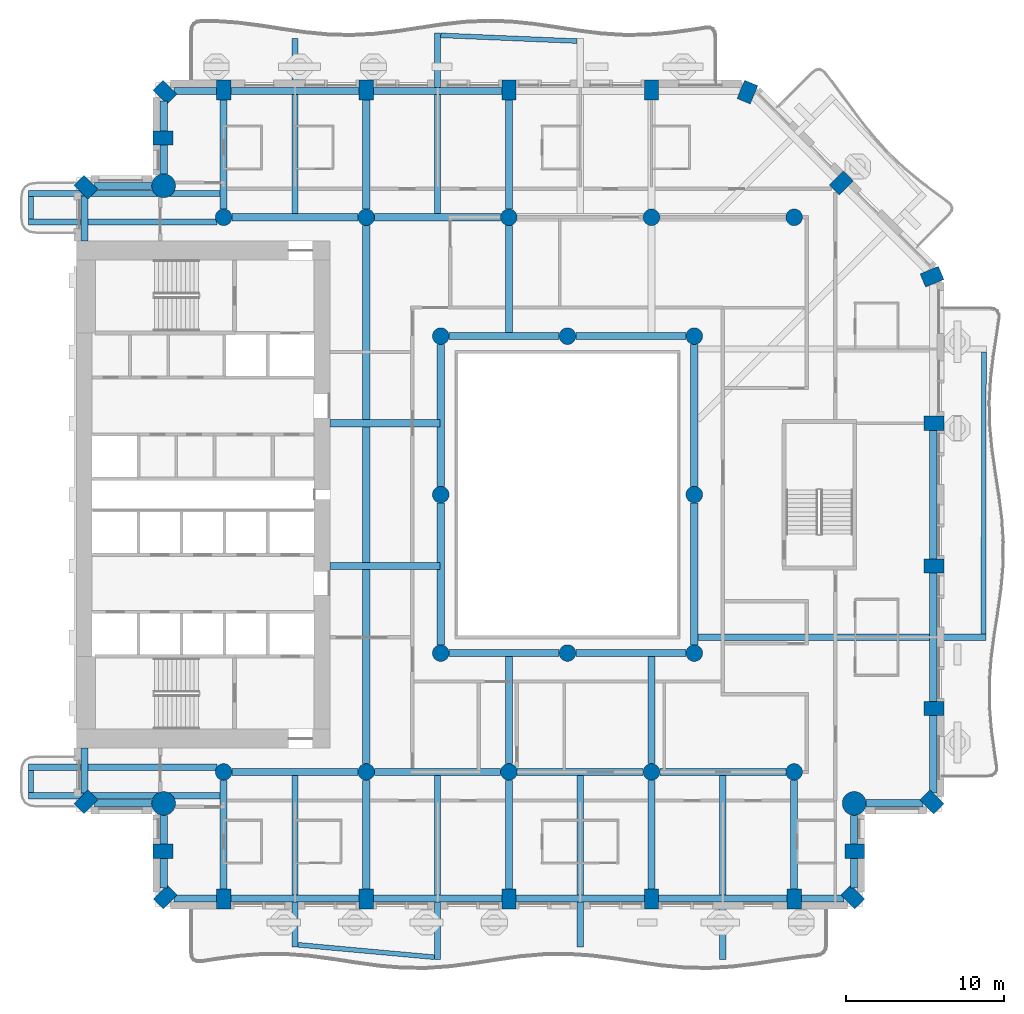
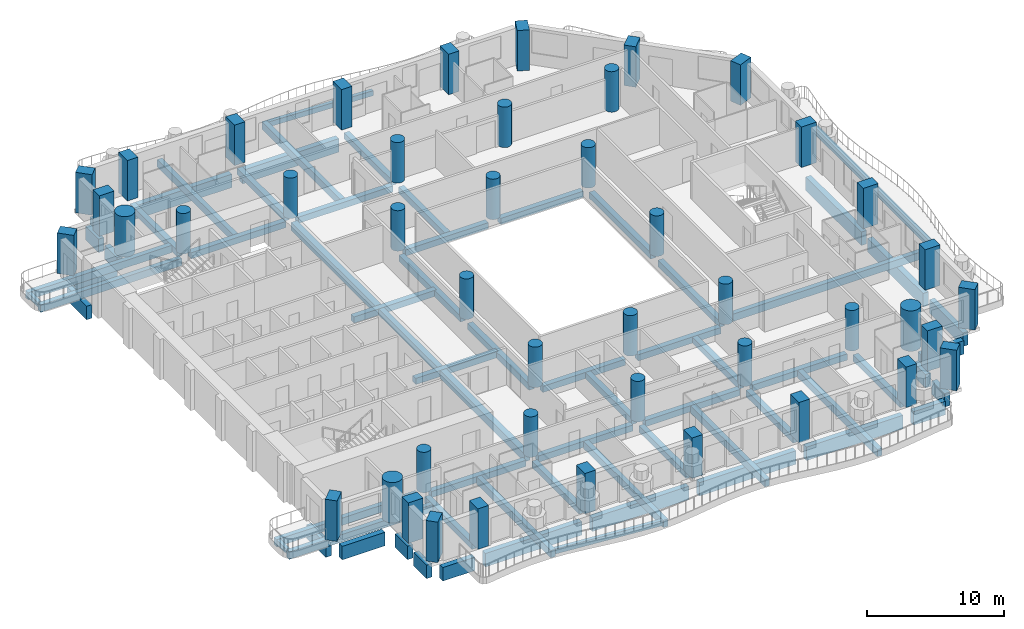
# One storey, part 1 of 20: 69 beams, 45 columns.
"""IFC4 building model written with IfcOpenShell, lengths in metres."""

from ifc_helpers import new_model, si_unit, direction, frame, origin, origin_2d, place, context, subcontext, project, spatial, rectangle, circle, extrude, material, material_profile, profile_set, type_object, element, save


model = new_model("IFC4")

# Units and contexts
model_context = context("Model", 3, precision=1e-05, world=origin(), true_north=direction((0.0, 1.0)))
body_context = subcontext(model_context, "Body", "Model", "MODEL_VIEW")
ifc_project = project(units=[si_unit("LENGTHUNIT", "METRE"), si_unit("AREAUNIT", "SQUARE_METRE"), si_unit("VOLUMEUNIT", "CUBIC_METRE"), si_unit("PLANEANGLEUNIT", "RADIAN"), si_unit("MASSUNIT", "GRAM", prefix="KILO")], contexts=[model_context])

# Site, building, storey
site_placement = place(None, origin())
site = spatial("IfcSite", under=ifc_project, at=site_placement, CompositionType="ELEMENT")
building_placement = place(site_placement, origin())
building = spatial("IfcBuilding", under=site, at=building_placement, Name="Cypress Arch Tower", CompositionType="ELEMENT")
storey_placement = place(building_placement, frame((0.0, 0.0, 123.89990234375)))
storey = spatial("IfcBuildingStorey", under=building, at=storey_placement, Name="L26", CompositionType="ELEMENT", Elevation=123.89990234375)

# Columns
ifc_material_1 = material(Name="Concrete C80/95", Category="concrete")
ifc_material_profile_1 = material_profile(ifc_material_1, rectangle(XDim=0.89990234375, YDim=1.25, at=origin_2d()), Name="RC 900x1250")
ifc_profile_set_1 = profile_set([ifc_material_profile_1], Name="Concrete C80/95")
column_type_1 = type_object("IfcColumnType", Name="Column RC 900x1250 Concrete C80/95", PredefinedType="COLUMN", material=ifc_profile_set_1)
for number, where, z_axis, x_axis, name in (
    (1, (-29.389892578125, 19.389892578125, 0.0), (0.0, 0.0, 1.0), (-0.707106781187, -0.707106781187, 0.0), "Column L26 CA00"),
    (2, (-29.389892578125, -19.389892578125, 0.0), (0.0, 0.0, 1.0), (0.707106781187, -0.707106781187, 0.0), "Column L26 CA01"),
    (3, (-24.52490234375, -22.5, 0.0), (0.0, 0.0, 1.0), (0.0, -1.0, 0.0), "Column L26 CA03"),
    (4, (-24.389892578125, -25.389892578125, 0.0), (0.0, 0.0, 1.0), (0.707106781187, -0.707106781187, 0.0), "Column L26 CA04"),
    (5, (-20.699951171875, -25.52490234375, 0.0), (0.0, 0.0, 1.0), (1.0, 0.0, 0.0), "Column L26 CA05"),
    (6, (-11.699951171875, -25.52490234375, 0.0), (0.0, 0.0, 1.0), (1.0, 0.0, 0.0), "Column L26 CA06"),
    (7, (-2.699951171875, -25.52490234375, 0.0), (0.0, 0.0, 1.0), (1.0, 0.0, 0.0), "Column L26 CA07"),
    (8, (6.300048828125, -25.52490234375, 0.0), (0.0, 0.0, 1.0), (1.0, 0.0, 0.0), "Column L26 CA08"),
    (9, (15.300048828125, -25.52490234375, 0.0), (0.0, 0.0, 1.0), (1.0, 0.0, 0.0), "Column L26 CA09"),
    (10, (18.98974609375, -25.389892578125, 0.0), (0.0, 0.0, 1.0), (0.707106781187, 0.707106781187, 0.0), "Column L26 CA10"),
    (11, (19.125, -22.5, 0.0), (0.0, 0.0, 1.0), (0.0, 1.0, 0.0), "Column L26 CA11"),
    (12, (23.98974609375, -19.389892578125, 0.0), (0.0, 0.0, 1.0), (0.707106781187, 0.707106781187, 0.0), "Column L26 CA13"),
    (13, (24.125, -13.5, 0.0), (0.0, 0.0, 1.0), (0.0, 1.0, 0.0), "Column L26 CA14"),
    (14, (24.125, -4.5, 0.0), (0.0, 0.0, 1.0), (0.0, 1.0, 0.0), "Column L26 CA15"),
    (15, (24.125, 4.5, 0.0), (0.0, 0.0, 1.0), (0.0, 1.0, 0.0), "Column L26 CA16"),
    (16, (24.00048828125, 13.751708984375, 0.0), (0.0, 0.0, 1.0), (-0.382683496864, 0.923879505795, 0.0), "Column L26 CA17"),
    (17, (18.26416015625, 19.6640625, 0.0), (0.0, 0.0, 1.0), (-0.707106781187, 0.707106781187, 0.0), "Column L26 CA18"),
    (18, (12.3515625, 25.400390625, 0.0), (0.0, 0.0, 1.0), (-0.923879505795, 0.382683496864, 0.0), "Column L26 CA19"),
    (19, (6.300048828125, 25.52490234375, 0.0), (0.0, 0.0, 1.0), (-1.0, 0.0, 0.0), "Column L26 CA20"),
    (20, (-2.699951171875, 25.52490234375, 0.0), (0.0, 0.0, 1.0), (-1.0, 0.0, 0.0), "Column L26 CA21"),
    (21, (-11.699951171875, 25.52490234375, 0.0), (0.0, 0.0, 1.0), (-1.0, 0.0, 0.0), "Column L26 CA22"),
    (22, (-20.699951171875, 25.52490234375, 0.0), (0.0, 0.0, 1.0), (-1.0, 0.0, 0.0), "Column L26 CA23"),
    (23, (-24.389892578125, 25.389892578125, 0.0), (0.0, 0.0, 1.0), (-0.707106781187, -0.707106781187, 0.0), "Column L26 CA24"),
    (24, (-24.52490234375, 22.5, 0.0), (0.0, 0.0, 1.0), (0.0, -1.0, 0.0), "Column L26 CA25"),
):
    element("IfcColumn", number, at=place(storey_placement, frame(where, z_axis=z_axis, x_axis=x_axis)), inside=storey, type_object=column_type_1, Name=name, PredefinedType="COLUMN", context=body_context, shape_type="SweptSolid", body=[
        extrude(rectangle(XDim=0.89990234375, YDim=1.25, at=origin_2d()), origin(), (0.0, 0.0, 1.0), 3.60009765625),
    ])
ifc_material_2 = material(Name="Concrete C70/85", Category="concrete")
ifc_material_profile_2 = material_profile(ifc_material_2, circle(Radius=0.52490234375, at=origin_2d()), Name="RC D1050")
ifc_profile_set_2 = profile_set([ifc_material_profile_2], Name="Concrete C70/85")
column_type_2 = type_object("IfcColumnType", Name="Column RC D1050 Concrete C70/85", PredefinedType="COLUMN", material=ifc_profile_set_2)
for number, where, z_axis, x_axis, name in (
    (25, (-20.699951171875, -17.5, 0.0), (0.0, 0.0, 1.0), (1.0, 0.0, 0.0), "Column L26 CIC-L26-CI3S"),
    (26, (-11.699951171875, -17.5, 0.0), (0.0, 0.0, 1.0), (1.0, 0.0, 0.0), "Column L26 CIC-L26-CI4S"),
    (27, (-2.699951171875, -17.5, 0.0), (0.0, 0.0, 1.0), (1.0, 0.0, 0.0), "Column L26 CIC-L26-CI5S"),
    (28, (6.300048828125, -17.5, 0.0), (0.0, 0.0, 1.0), (1.0, 0.0, 0.0), "Column L26 CIC-L26-CI6S"),
    (29, (15.300048828125, -17.5, 0.0), (0.0, 0.0, 1.0), (1.0, 0.0, 0.0), "Column L26 CIC-L26-CI7S"),
    (30, (-20.699951171875, 17.5, 0.0), (0.0, 0.0, 1.0), (1.0, 0.0, 0.0), "Column L26 CIC-L26-CI3N"),
    (31, (-11.699951171875, 17.5, 0.0), (0.0, 0.0, 1.0), (1.0, 0.0, 0.0), "Column L26 CIC-L26-CI4N"),
    (32, (-2.699951171875, 17.5, 0.0), (0.0, 0.0, 1.0), (1.0, 0.0, 0.0), "Column L26 CIC-L26-CI5N"),
    (33, (6.300048828125, 17.5, 0.0), (0.0, 0.0, 1.0), (1.0, 0.0, 0.0), "Column L26 CIC-L26-CI6N"),
    (34, (15.300048828125, 17.5, 0.0), (0.0, 0.0, 1.0), (1.0, 0.0, 0.0), "Column L26 CIC-L26-CI7N"),
    (35, (-7.0, -10.0, 0.0), (0.0, 0.0, 1.0), (1.0, 0.0, 0.0), "Column L26 RNG-L26-G-7-10"),
    (36, (-7.0, 0.0, 0.0), (0.0, 0.0, 1.0), (1.0, 0.0, 0.0), "Column L26 RNG-L26-G-7+0"),
    (37, (-7.0, 10.0, 0.0), (0.0, 0.0, 1.0), (1.0, 0.0, 0.0), "Column L26 RNG-L26-G-7+10"),
    (38, (1.0, -10.0, 0.0), (0.0, 0.0, 1.0), (1.0, 0.0, 0.0), "Column L26 RNG-L26-G+1-10"),
    (39, (1.0, 10.0, 0.0), (0.0, 0.0, 1.0), (1.0, 0.0, 0.0), "Column L26 RNG-L26-G+1+10"),
    (40, (9.0, -10.0, 0.0), (0.0, 0.0, 1.0), (1.0, 0.0, 0.0), "Column L26 RNG-L26-G+9-10"),
    (41, (9.0, 0.0, 0.0), (0.0, 0.0, 1.0), (1.0, 0.0, 0.0), "Column L26 RNG-L26-G+9+0"),
    (42, (9.0, 10.0, 0.0), (0.0, 0.0, 1.0), (1.0, 0.0, 0.0), "Column L26 RNG-L26-G+9+10"),
):
    element("IfcColumn", number, at=place(storey_placement, frame(where, z_axis=z_axis, x_axis=x_axis)), inside=storey, type_object=column_type_2, Name=name, PredefinedType="COLUMN", context=body_context, shape_type="SweptSolid", body=[
        extrude(circle(Radius=0.52490234375, at=origin_2d()), origin(), (0.0, 0.0, 1.0), 3.60009765625),
    ])
ifc_material_3 = material(Name="Concrete C80/95", Category="concrete")
ifc_material_profile_3 = material_profile(ifc_material_3, circle(Radius=0.75, at=origin_2d()), Name="RC D1500")
ifc_profile_set_3 = profile_set([ifc_material_profile_3], Name="Concrete C80/95")
column_type_3 = type_object("IfcColumnType", Name="Mega-column RC D1500 Concrete C80/95", PredefinedType="COLUMN", material=ifc_profile_set_3)
for number, where, z_axis, x_axis, name in (
    (43, (-24.48779296875, -19.48779296875, 0.0), (0.0, 0.0, 1.0), (1.0, 0.0, 0.0), "Column L26 CA02"),
    (44, (19.087890625, -19.48779296875, 0.0), (0.0, 0.0, 1.0), (1.0, 0.0, 0.0), "Column L26 CA12"),
    (45, (-24.48779296875, 19.48779296875, 0.0), (0.0, 0.0, 1.0), (1.0, 0.0, 0.0), "Column L26 CA26"),
):
    element("IfcColumn", number, at=place(storey_placement, frame(where, z_axis=z_axis, x_axis=x_axis)), inside=storey, type_object=column_type_3, Name=name, PredefinedType="COLUMN", context=body_context, shape_type="SweptSolid", body=[
        extrude(circle(Radius=0.75, at=origin_2d()), origin(), (0.0, 0.0, 1.0), 3.60009765625),
    ])

# Beams
ifc_material_4 = material(Name="Concrete C50/60", Category="concrete")
ifc_material_profile_4 = material_profile(ifc_material_4, rectangle(XDim=0.300048828125, YDim=0.449951171875, at=origin_2d()), Name="RC 300x450")
ifc_profile_set_4 = profile_set([ifc_material_profile_4], Name="Concrete C50/60")
beam_type_1 = type_object("IfcBeamType", Name="Balcony edge beam RC 300x450 Concrete C50/60", PredefinedType="BEAM", material=ifc_profile_set_4)
beam_1_placement = place(storey_placement, frame((-16.0, -28.408447265625, -0.52490234375), z_axis=(0.995883931978, -0.090637707543, 0.0), x_axis=(0.090637707543, 0.995883931978, 0.0)))
element("IfcBeam", 46, at=beam_1_placement, inside=storey, type_object=beam_type_1, Name="Balcony edge beam L26 A03", PredefinedType="BEAM", context=body_context, shape_type="SweptSolid", body=[
    extrude(rectangle(XDim=0.300048828125, YDim=0.449951171875, at=origin_2d()), origin(), (0.0, 0.0, 1.0), 8.6357421875),
])
beam_2_placement = place(storey_placement, frame((1.60009765625, 28.61865234375, -0.52490234375), z_axis=(-0.999117371021, 0.042005701087, 0.0), x_axis=(-0.042005701087, -0.999117371021, 0.0)))
element("IfcBeam", 47, at=beam_2_placement, inside=storey, type_object=beam_type_1, Name="Balcony edge beam L26 A08", PredefinedType="BEAM", context=body_context, shape_type="SweptSolid", body=[
    extrude(rectangle(XDim=0.300048828125, YDim=0.449951171875, at=origin_2d()), origin(), (0.0, 0.0, 1.0), 8.607666015625),
])
ifc_material_5 = material(Name="Concrete C50/60", Category="concrete")
ifc_material_profile_5 = material_profile(ifc_material_5, rectangle(XDim=0.300048828125, YDim=0.64990234375, at=origin_2d()), Name="RC 300x650")
ifc_profile_set_5 = profile_set([ifc_material_profile_5], Name="Concrete C50/60")
beam_type_2 = type_object("IfcBeamType", Name="Balcony edge beam RC 300x650 Concrete C50/60", PredefinedType="BEAM", material=ifc_profile_set_5)
beam_3_placement = place(storey_placement, frame((27.247802734375, -8.800048828125, -0.625), z_axis=(0.001605839349, 0.999998710639, 0.0), x_axis=(-0.999998710639, 0.001605839349, 0.0)))
element("IfcBeam", 48, at=beam_3_placement, inside=storey, type_object=beam_type_2, Name="Balcony edge beam L26 A06", PredefinedType="BEAM", context=body_context, shape_type="SweptSolid", body=[
    extrude(rectangle(XDim=0.300048828125, YDim=0.64990234375, at=origin_2d()), origin(), (0.0, 0.0, 1.0), 17.787841796875),
])
ifc_material_6 = material(Name="Concrete C50/60", Category="concrete")
ifc_material_profile_6 = material_profile(ifc_material_6, rectangle(XDim=0.300048828125, YDim=0.39990234375, at=origin_2d()), Name="RC 300x400")
ifc_profile_set_6 = profile_set([ifc_material_profile_6], Name="Concrete C50/60")
beam_type_3 = type_object("IfcBeamType", Name="Balcony stub beam RC 300x400 Concrete C50/60", PredefinedType="BEAM", material=ifc_profile_set_6)
for number, where, z_axis, x_axis, name in (
    (49, (-32.85009765625, 18.800048828125, -0.5), (0.0, -1.0, 0.0), (1.0, 0.0, 0.0), "Balcony stub beam L26 A00W0"),
    (50, (-32.85009765625, -17.39990234375, -0.5), (0.0, -1.0, 0.0), (1.0, 0.0, 0.0), "Balcony stub beam L26 A00W1"),
):
    element("IfcBeam", number, at=place(storey_placement, frame(where, z_axis=z_axis, x_axis=x_axis)), inside=storey, type_object=beam_type_3, Name=name, PredefinedType="BEAM", context=body_context, shape_type="SweptSolid", body=[
        extrude(rectangle(XDim=0.300048828125, YDim=0.39990234375, at=origin_2d()), origin(), (0.0, 0.0, 1.0), 1.400146484375),
    ])
ifc_material_7 = material(Name="Concrete C50/60", Category="concrete")
ifc_material_profile_7 = material_profile(ifc_material_7, rectangle(XDim=0.39990234375, YDim=0.64990234375, at=origin_2d()), Name="RC 400x650")
ifc_profile_set_7 = profile_set([ifc_material_profile_7], Name="Concrete C50/60")
beam_type_4 = type_object("IfcBeamType", Name="Cantilever beam RC 400x650 Concrete C50/60", PredefinedType="BEAM", material=ifc_profile_set_7)
beam_4_placement = place(storey_placement, frame((-20.925048828125, 19.0, -0.625), z_axis=(-1.0, 0.0, 0.0), x_axis=(0.0, -1.0, 0.0)))
element("IfcBeam", 51, at=beam_4_placement, inside=storey, type_object=beam_type_4, Name="Cantilever beam L26 A00 1", PredefinedType="BEAM", context=body_context, shape_type="SweptSolid", body=[
    extrude(rectangle(XDim=0.39990234375, YDim=0.64990234375, at=origin_2d()), origin(), (0.0, 0.0, 1.0), 12.074951171875),
])
for number, where, z_axis, x_axis, name in (
    (52, (-21.130615234375, 17.199951171875, -0.625), (-1.0, 0.0, 0.0), (0.0, -1.0, 0.0), "Cantilever beam L26 A00 2"),
    (53, (-21.130615234375, -17.199951171875, -0.625), (-1.0, 0.0, 0.0), (0.0, -1.0, 0.0), "Cantilever beam L26 A00 1"),
):
    element("IfcBeam", number, at=place(storey_placement, frame(where, z_axis=z_axis, x_axis=x_axis)), inside=storey, type_object=beam_type_4, Name=name, PredefinedType="BEAM", context=body_context, shape_type="SweptSolid", body=[
        extrude(rectangle(XDim=0.39990234375, YDim=0.64990234375, at=origin_2d()), origin(), (0.0, 0.0, 1.0), 11.869384765625),
    ])
beam_5_placement = place(storey_placement, frame((-20.925048828125, -19.0, -0.625), z_axis=(-1.0, 0.0, 0.0), x_axis=(0.0, -1.0, 0.0)))
element("IfcBeam", 54, at=beam_5_placement, inside=storey, type_object=beam_type_4, Name="Cantilever beam L26 A00 2", PredefinedType="BEAM", context=body_context, shape_type="SweptSolid", body=[
    extrude(rectangle(XDim=0.39990234375, YDim=0.64990234375, at=origin_2d()), origin(), (0.0, 0.0, 1.0), 12.074951171875),
])
beam_6_placement = place(storey_placement, frame((-16.199951171875, -17.72509765625, -0.625), z_axis=(0.0, -1.0, 0.0), x_axis=(1.0, 0.0, 0.0)))
element("IfcBeam", 55, at=beam_6_placement, inside=storey, type_object=beam_type_4, Name="Cantilever beam L26 A03 1", PredefinedType="BEAM", context=body_context, shape_type="SweptSolid", body=[
    extrude(rectangle(XDim=0.39990234375, YDim=0.64990234375, at=origin_2d()), origin(), (0.0, 0.0, 1.0), 10.833251953125),
])
beam_7_placement = place(storey_placement, frame((-7.199951171875, -17.72509765625, -0.625), z_axis=(0.0, -1.0, 0.0), x_axis=(1.0, 0.0, 0.0)))
element("IfcBeam", 56, at=beam_7_placement, inside=storey, type_object=beam_type_4, Name="Cantilever beam L26 A03 2", PredefinedType="BEAM", context=body_context, shape_type="SweptSolid", body=[
    extrude(rectangle(XDim=0.39990234375, YDim=0.64990234375, at=origin_2d()), origin(), (0.0, 0.0, 1.0), 11.615966796875),
])
beam_8_placement = place(storey_placement, frame((1.800048828125, -17.72509765625, -0.625), z_axis=(0.0, -1.0, 0.0), x_axis=(1.0, 0.0, 0.0)))
element("IfcBeam", 57, at=beam_8_placement, inside=storey, type_object=beam_type_4, Name="Cantilever beam L26 A03 3", PredefinedType="BEAM", context=body_context, shape_type="SweptSolid", body=[
    extrude(rectangle(XDim=0.39990234375, YDim=0.64990234375, at=origin_2d()), origin(), (0.0, 0.0, 1.0), 10.833984375),
])
beam_9_placement = place(storey_placement, frame((10.800048828125, -17.72509765625, -0.625), z_axis=(0.0, -1.0, 0.0), x_axis=(1.0, 0.0, 0.0)))
element("IfcBeam", 58, at=beam_9_placement, inside=storey, type_object=beam_type_4, Name="Cantilever beam L26 A03 4", PredefinedType="BEAM", context=body_context, shape_type="SweptSolid", body=[
    extrude(rectangle(XDim=0.39990234375, YDim=0.64990234375, at=origin_2d()), origin(), (0.0, 0.0, 1.0), 11.6162109375),
])
beam_10_placement = place(storey_placement, frame((9.22509765625, -9.0, -0.625), z_axis=(1.0, 0.0, 0.0), x_axis=(0.0, 1.0, 0.0)))
element("IfcBeam", 59, at=beam_10_placement, inside=storey, type_object=beam_type_4, Name="Cantilever beam L26 A06 1", PredefinedType="BEAM", context=body_context, shape_type="SweptSolid", body=[
    extrude(rectangle(XDim=0.39990234375, YDim=0.64990234375, at=origin_2d()), origin(), (0.0, 0.0, 1.0), 18.1728515625),
])
beam_11_placement = place(storey_placement, frame((-7.199951171875, 17.72509765625, -0.625), z_axis=(0.0, 1.0, 0.0), x_axis=(-1.0, 0.0, 0.0)))
element("IfcBeam", 60, at=beam_11_placement, inside=storey, type_object=beam_type_4, Name="Cantilever beam L26 A08 2", PredefinedType="BEAM", context=body_context, shape_type="SweptSolid", body=[
    extrude(rectangle(XDim=0.39990234375, YDim=0.64990234375, at=origin_2d()), origin(), (0.0, 0.0, 1.0), 11.4052734375),
])
beam_12_placement = place(storey_placement, frame((-16.199951171875, 17.72509765625, -0.625), z_axis=(0.0, 1.0, 0.0), x_axis=(-1.0, 0.0, 0.0)))
element("IfcBeam", 61, at=beam_12_placement, inside=storey, type_object=beam_type_4, Name="Cantilever beam L26 A08 3", PredefinedType="BEAM", context=body_context, shape_type="SweptSolid", body=[
    extrude(rectangle(XDim=0.39990234375, YDim=0.64990234375, at=origin_2d()), origin(), (0.0, 0.0, 1.0), 11.04736328125),
])
ifc_material_8 = material(Name="Concrete C50/60", Category="concrete")
ifc_material_profile_8 = material_profile(ifc_material_8, rectangle(XDim=0.449951171875, YDim=0.550048828125, at=origin_2d()), Name="RC 450x550")
ifc_profile_set_8 = profile_set([ifc_material_profile_8], Name="Concrete C50/60")
beam_type_5 = type_object("IfcBeamType", Name="Floor beam RC 450x550 Concrete C50/60", PredefinedType="BEAM", material=ifc_profile_set_8)
for number, where, z_axis, x_axis, name in (
    (62, (-7.0, -9.47509765625, -0.574951171875), (0.0, 1.0, 0.0), (-1.0, 0.0, 0.0), "Floor beam L26 RB001"),
    (63, (-7.0, 0.52490234375, -0.574951171875), (0.0, 1.0, 0.0), (-1.0, 0.0, 0.0), "Floor beam L26 RB002"),
    (64, (9.0, -9.47509765625, -0.574951171875), (0.0, 1.0, 0.0), (-1.0, 0.0, 0.0), "Floor beam L26 RB003"),
    (65, (9.0, 0.52490234375, -0.574951171875), (0.0, 1.0, 0.0), (-1.0, 0.0, 0.0), "Floor beam L26 RB004"),
):
    element("IfcBeam", number, at=place(storey_placement, frame(where, z_axis=z_axis, x_axis=x_axis)), inside=storey, type_object=beam_type_5, Name=name, PredefinedType="BEAM", context=body_context, shape_type="SweptSolid", body=[
        extrude(rectangle(XDim=0.449951171875, YDim=0.550048828125, at=origin_2d()), origin(), (0.0, 0.0, 1.0), 8.9501953125),
    ])
for number, where, z_axis, x_axis, name in (
    (66, (-6.47509765625, -10.0, -0.574951171875), (1.0, 0.0, 0.0), (0.0, 1.0, 0.0), "Floor beam L26 RB005"),
    (67, (1.52490234375, -10.0, -0.574951171875), (1.0, 0.0, 0.0), (0.0, 1.0, 0.0), "Floor beam L26 RB006"),
    (68, (-6.47509765625, 10.0, -0.574951171875), (1.0, 0.0, 0.0), (0.0, 1.0, 0.0), "Floor beam L26 RB007"),
    (69, (1.52490234375, 10.0, -0.574951171875), (1.0, 0.0, 0.0), (0.0, 1.0, 0.0), "Floor beam L26 RB008"),
):
    element("IfcBeam", number, at=place(storey_placement, frame(where, z_axis=z_axis, x_axis=x_axis)), inside=storey, type_object=beam_type_5, Name=name, PredefinedType="BEAM", context=body_context, shape_type="SweptSolid", body=[
        extrude(rectangle(XDim=0.449951171875, YDim=0.550048828125, at=origin_2d()), origin(), (0.0, 0.0, 1.0), 6.9501953125),
    ])
for number, where, z_axis, x_axis, name in (
    (70, (-20.175048828125, -17.5, -0.574951171875), (1.0, 0.0, 0.0), (0.0, 1.0, 0.0), "Floor beam L26 FB009"),
    (71, (-11.175048828125, -17.5, -0.574951171875), (1.0, 0.0, 0.0), (0.0, 1.0, 0.0), "Floor beam L26 FB010"),
    (72, (-2.175048828125, -17.5, -0.574951171875), (1.0, 0.0, 0.0), (0.0, 1.0, 0.0), "Floor beam L26 FB011"),
    (73, (6.824951171875, -17.5, -0.574951171875), (1.0, 0.0, 0.0), (0.0, 1.0, 0.0), "Floor beam L26 FB012"),
):
    element("IfcBeam", number, at=place(storey_placement, frame(where, z_axis=z_axis, x_axis=x_axis)), inside=storey, type_object=beam_type_5, Name=name, PredefinedType="BEAM", context=body_context, shape_type="SweptSolid", body=[
        extrude(rectangle(XDim=0.449951171875, YDim=0.550048828125, at=origin_2d()), origin(), (0.0, 0.0, 1.0), 7.949951171875),
    ])
for number, where, z_axis, x_axis, name in (
    (74, (-14.0, -4.5, -0.574951171875), (1.0, 0.0, 0.0), (0.0, 1.0, 0.0), "Floor beam L26 FB013"),
    (75, (-14.0, 4.5, -0.574951171875), (1.0, 0.0, 0.0), (0.0, 1.0, 0.0), "Floor beam L26 FB014"),
):
    element("IfcBeam", number, at=place(storey_placement, frame(where, z_axis=z_axis, x_axis=x_axis)), inside=storey, type_object=beam_type_5, Name=name, PredefinedType="BEAM", context=body_context, shape_type="SweptSolid", body=[
        extrude(rectangle(XDim=0.449951171875, YDim=0.550048828125, at=origin_2d()), origin(), (0.0, 0.0, 1.0), 6.949951171875),
    ])
for number, where, z_axis, x_axis, name in (
    (76, (-20.175048828125, 17.5, -0.574951171875), (1.0, 0.0, 0.0), (0.0, 1.0, 0.0), "Floor beam L26 FB015"),
    (77, (-11.175048828125, 17.5, -0.574951171875), (1.0, 0.0, 0.0), (0.0, 1.0, 0.0), "Floor beam L26 FB016"),
):
    element("IfcBeam", number, at=place(storey_placement, frame(where, z_axis=z_axis, x_axis=x_axis)), inside=storey, type_object=beam_type_5, Name=name, PredefinedType="BEAM", context=body_context, shape_type="SweptSolid", body=[
        extrude(rectangle(XDim=0.449951171875, YDim=0.550048828125, at=origin_2d()), origin(), (0.0, 0.0, 1.0), 7.949951171875),
    ])
for number, where, z_axis, x_axis, name in (
    (78, (-20.699951171875, -24.89990234375, -0.574951171875), (0.0, 1.0, 0.0), (-1.0, 0.0, 0.0), "Floor beam L26 FB019"),
    (79, (-20.699951171875, 18.02490234375, -0.574951171875), (0.0, 1.0, 0.0), (-1.0, 0.0, 0.0), "Floor beam L26 FB020"),
    (80, (-11.699951171875, -24.89990234375, -0.574951171875), (0.0, 1.0, 0.0), (-1.0, 0.0, 0.0), "Floor beam L26 FB021"),
):
    element("IfcBeam", number, at=place(storey_placement, frame(where, z_axis=z_axis, x_axis=x_axis)), inside=storey, type_object=beam_type_5, Name=name, PredefinedType="BEAM", context=body_context, shape_type="SweptSolid", body=[
        extrude(rectangle(XDim=0.449951171875, YDim=0.550048828125, at=origin_2d()), origin(), (0.0, 0.0, 1.0), 6.875),
    ])
beam_13_placement = place(storey_placement, frame((-11.699951171875, -4.27490234375, -0.574951171875), z_axis=(0.0, 1.0, 0.0), x_axis=(-1.0, 0.0, 0.0)))
element("IfcBeam", 81, at=beam_13_placement, inside=storey, type_object=beam_type_5, Name="Floor beam L26 FB023", PredefinedType="BEAM", context=body_context, shape_type="SweptSolid", body=[
    extrude(rectangle(XDim=0.449951171875, YDim=0.550048828125, at=origin_2d()), origin(), (0.0, 0.0, 1.0), 8.5498046875),
])
for number, where, z_axis, x_axis, name in (
    (82, (-11.699951171875, 18.02490234375, -0.574951171875), (0.0, 1.0, 0.0), (-1.0, 0.0, 0.0), "Floor beam L26 FB025"),
    (83, (-2.699951171875, -24.89990234375, -0.574951171875), (0.0, 1.0, 0.0), (-1.0, 0.0, 0.0), "Floor beam L26 FB026"),
):
    element("IfcBeam", number, at=place(storey_placement, frame(where, z_axis=z_axis, x_axis=x_axis)), inside=storey, type_object=beam_type_5, Name=name, PredefinedType="BEAM", context=body_context, shape_type="SweptSolid", body=[
        extrude(rectangle(XDim=0.449951171875, YDim=0.550048828125, at=origin_2d()), origin(), (0.0, 0.0, 1.0), 6.875),
    ])
for number, where, z_axis, x_axis, name in (
    (84, (-2.699951171875, -16.97509765625, -0.574951171875), (0.0, 1.0, 0.0), (-1.0, 0.0, 0.0), "Floor beam L26 FB027"),
    (85, (-2.699951171875, 10.22509765625, -0.574951171875), (0.0, 1.0, 0.0), (-1.0, 0.0, 0.0), "Floor beam L26 FB028"),
):
    element("IfcBeam", number, at=place(storey_placement, frame(where, z_axis=z_axis, x_axis=x_axis)), inside=storey, type_object=beam_type_5, Name=name, PredefinedType="BEAM", context=body_context, shape_type="SweptSolid", body=[
        extrude(rectangle(XDim=0.449951171875, YDim=0.550048828125, at=origin_2d()), origin(), (0.0, 0.0, 1.0), 6.75),
    ])
for number, where, z_axis, x_axis, name in (
    (86, (-2.699951171875, 18.02490234375, -0.574951171875), (0.0, 1.0, 0.0), (-1.0, 0.0, 0.0), "Floor beam L26 FB029"),
    (87, (6.300048828125, -24.89990234375, -0.574951171875), (0.0, 1.0, 0.0), (-1.0, 0.0, 0.0), "Floor beam L26 FB030"),
):
    element("IfcBeam", number, at=place(storey_placement, frame(where, z_axis=z_axis, x_axis=x_axis)), inside=storey, type_object=beam_type_5, Name=name, PredefinedType="BEAM", context=body_context, shape_type="SweptSolid", body=[
        extrude(rectangle(XDim=0.449951171875, YDim=0.550048828125, at=origin_2d()), origin(), (0.0, 0.0, 1.0), 6.875),
    ])
beam_14_placement = place(storey_placement, frame((6.300048828125, -16.97509765625, -0.574951171875), z_axis=(0.0, 1.0, 0.0), x_axis=(-1.0, 0.0, 0.0)))
element("IfcBeam", 88, at=beam_14_placement, inside=storey, type_object=beam_type_5, Name="Floor beam L26 FB031", PredefinedType="BEAM", context=body_context, shape_type="SweptSolid", body=[
    extrude(rectangle(XDim=0.449951171875, YDim=0.550048828125, at=origin_2d()), origin(), (0.0, 0.0, 1.0), 6.75),
])
beam_15_placement = place(storey_placement, frame((15.300048828125, -24.89990234375, -0.574951171875), z_axis=(0.0, 1.0, 0.0), x_axis=(-1.0, 0.0, 0.0)))
element("IfcBeam", 89, at=beam_15_placement, inside=storey, type_object=beam_type_5, Name="Floor beam L26 FB034", PredefinedType="BEAM", context=body_context, shape_type="SweptSolid", body=[
    extrude(rectangle(XDim=0.449951171875, YDim=0.550048828125, at=origin_2d()), origin(), (0.0, 0.0, 1.0), 6.875),
])
ifc_material_9 = material(Name="Concrete C50/60", Category="concrete")
ifc_material_profile_9 = material_profile(ifc_material_9, rectangle(XDim=0.5, YDim=0.699951171875, at=origin_2d()), Name="RC 500x700")
ifc_profile_set_9 = profile_set([ifc_material_profile_9], Name="Concrete C50/60")
beam_type_6 = type_object("IfcBeamType", Name="Floor beam RC 500x700 Concrete C50/60", PredefinedType="BEAM", material=ifc_profile_set_9)
for number, where, z_axis, x_axis, name in (
    (90, (-11.699951171875, -16.97509765625, -0.64990234375), (0.0, 1.0, 0.0), (-1.0, 0.0, 0.0), "Floor beam L26 FB022"),
    (91, (-11.699951171875, 4.72509765625, -0.64990234375), (0.0, 1.0, 0.0), (-1.0, 0.0, 0.0), "Floor beam L26 FB024"),
):
    element("IfcBeam", number, at=place(storey_placement, frame(where, z_axis=z_axis, x_axis=x_axis)), inside=storey, type_object=beam_type_6, Name=name, PredefinedType="BEAM", context=body_context, shape_type="SweptSolid", body=[
        extrude(rectangle(XDim=0.5, YDim=0.699951171875, at=origin_2d()), origin(), (0.0, 0.0, 1.0), 12.25),
    ])
ifc_material_10 = material(Name="Concrete C50/60", Category="concrete")
ifc_material_profile_10 = material_profile(ifc_material_10, rectangle(XDim=0.449951171875, YDim=1.199951171875, at=origin_2d()), Name="RC 450x1200")
ifc_profile_set_10 = profile_set([ifc_material_profile_10], Name="Concrete C50/60")
beam_type_7 = type_object("IfcBeamType", Name="Spandrel beam RC 450x1200 Concrete C50/60", PredefinedType="SPANDREL", material=ifc_profile_set_10)
for number, where, z_axis, x_axis, name in (
    (92, (-29.47509765625, 18.838623046875, -1.5498046875), (0.0, -1.0, 0.0), (1.0, 0.0, 0.0), "Spandrel beam L26 BA00-0"),
    (93, (-29.47509765625, -16.0, -1.5498046875), (0.0, -1.0, 0.0), (1.0, 0.0, 0.0), "Spandrel beam L26 BA00-0"),
):
    element("IfcBeam", number, at=place(storey_placement, frame(where, z_axis=z_axis, x_axis=x_axis)), inside=storey, type_object=beam_type_7, Name=name, PredefinedType="SPANDREL", context=body_context, shape_type="SweptSolid", body=[
        extrude(rectangle(XDim=0.449951171875, YDim=1.199951171875, at=origin_2d()), origin(), (0.0, 0.0, 1.0), 2.838623046875),
    ])
beam_16_placement = place(storey_placement, frame((-28.838623046875, -19.47509765625, -1.5498046875), z_axis=(1.0, 0.0, 0.0), x_axis=(0.0, 1.0, 0.0)))
element("IfcBeam", 94, at=beam_16_placement, inside=storey, type_object=beam_type_7, Name="Spandrel beam L26 BA01-0", PredefinedType="SPANDREL", context=body_context, shape_type="SweptSolid", body=[
    extrude(rectangle(XDim=0.449951171875, YDim=1.199951171875, at=origin_2d()), origin(), (0.0, 0.0, 1.0), 3.60107421875),
])
beam_17_placement = place(storey_placement, frame((-24.47509765625, -20.237548828125, -1.5498046875), z_axis=(0.0, -1.0, 0.0), x_axis=(1.0, 0.0, 0.0)))
element("IfcBeam", 95, at=beam_17_placement, inside=storey, type_object=beam_type_7, Name="Spandrel beam L26 BA02-0", PredefinedType="SPANDREL", context=body_context, shape_type="SweptSolid", body=[
    extrude(rectangle(XDim=0.449951171875, YDim=1.199951171875, at=origin_2d()), origin(), (0.0, 0.0, 1.0), 1.8125),
])
beam_18_placement = place(storey_placement, frame((-24.47509765625, -22.949951171875, -1.5498046875), z_axis=(0.0, -1.0, 0.0), x_axis=(1.0, 0.0, 0.0)))
element("IfcBeam", 96, at=beam_18_placement, inside=storey, type_object=beam_type_7, Name="Spandrel beam L26 BA02-1", PredefinedType="SPANDREL", context=body_context, shape_type="SweptSolid", body=[
    extrude(rectangle(XDim=0.449951171875, YDim=1.199951171875, at=origin_2d()), origin(), (0.0, 0.0, 1.0), 1.888671875),
])
beam_19_placement = place(storey_placement, frame((-23.838623046875, -25.47509765625, -1.5498046875), z_axis=(1.0, 0.0, 0.0), x_axis=(0.0, 1.0, 0.0)))
element("IfcBeam", 97, at=beam_19_placement, inside=storey, type_object=beam_type_7, Name="Spandrel beam L26 BA03-0", PredefinedType="SPANDREL", context=body_context, shape_type="SweptSolid", body=[
    extrude(rectangle(XDim=0.449951171875, YDim=1.199951171875, at=origin_2d()), origin(), (0.0, 0.0, 1.0), 2.688720703125),
])
for number, where, z_axis, x_axis, name in (
    (98, (-20.25, -25.47509765625, -1.5498046875), (1.0, 0.0, 0.0), (0.0, 1.0, 0.0), "Spandrel beam L26 BA03-1"),
    (99, (-11.25, -25.47509765625, -1.5498046875), (1.0, 0.0, 0.0), (0.0, 1.0, 0.0), "Spandrel beam L26 BA03-2"),
    (100, (-2.25, -25.47509765625, -1.5498046875), (1.0, 0.0, 0.0), (0.0, 1.0, 0.0), "Spandrel beam L26 BA03-3"),
    (101, (6.75, -25.47509765625, -1.5498046875), (1.0, 0.0, 0.0), (0.0, 1.0, 0.0), "Spandrel beam L26 BA03-4"),
):
    element("IfcBeam", number, at=place(storey_placement, frame(where, z_axis=z_axis, x_axis=x_axis)), inside=storey, type_object=beam_type_7, Name=name, PredefinedType="SPANDREL", context=body_context, shape_type="SweptSolid", body=[
        extrude(rectangle(XDim=0.449951171875, YDim=1.199951171875, at=origin_2d()), origin(), (0.0, 0.0, 1.0), 8.10009765625),
    ])
beam_20_placement = place(storey_placement, frame((15.75, -25.47509765625, -1.5498046875), z_axis=(1.0, 0.0, 0.0), x_axis=(0.0, 1.0, 0.0)))
element("IfcBeam", 102, at=beam_20_placement, inside=storey, type_object=beam_type_7, Name="Spandrel beam L26 BA03-5", PredefinedType="SPANDREL", context=body_context, shape_type="SweptSolid", body=[
    extrude(rectangle(XDim=0.449951171875, YDim=1.199951171875, at=origin_2d()), origin(), (0.0, 0.0, 1.0), 2.688720703125),
])
beam_21_placement = place(storey_placement, frame((19.074951171875, -24.838623046875, -1.5498046875), z_axis=(0.0, 1.0, 0.0), x_axis=(-1.0, 0.0, 0.0)))
element("IfcBeam", 103, at=beam_21_placement, inside=storey, type_object=beam_type_7, Name="Spandrel beam L26 BA04-0", PredefinedType="SPANDREL", context=body_context, shape_type="SweptSolid", body=[
    extrude(rectangle(XDim=0.449951171875, YDim=1.199951171875, at=origin_2d()), origin(), (0.0, 0.0, 1.0), 1.888671875),
])
beam_22_placement = place(storey_placement, frame((19.074951171875, -22.050048828125, -1.5498046875), z_axis=(0.0, 1.0, 0.0), x_axis=(-1.0, 0.0, 0.0)))
element("IfcBeam", 104, at=beam_22_placement, inside=storey, type_object=beam_type_7, Name="Spandrel beam L26 BA04-1", PredefinedType="SPANDREL", context=body_context, shape_type="SweptSolid", body=[
    extrude(rectangle(XDim=0.449951171875, YDim=1.199951171875, at=origin_2d()), origin(), (0.0, 0.0, 1.0), 1.8125),
])
beam_23_placement = place(storey_placement, frame((19.837646484375, -19.47509765625, -1.5498046875), z_axis=(1.0, 0.0, 0.0), x_axis=(0.0, 1.0, 0.0)))
element("IfcBeam", 105, at=beam_23_placement, inside=storey, type_object=beam_type_7, Name="Spandrel beam L26 BA05-0", PredefinedType="SPANDREL", context=body_context, shape_type="SweptSolid", body=[
    extrude(rectangle(XDim=0.449951171875, YDim=1.199951171875, at=origin_2d()), origin(), (0.0, 0.0, 1.0), 3.60107421875),
])
beam_24_placement = place(storey_placement, frame((24.074951171875, -18.838623046875, -1.5498046875), z_axis=(0.0, 1.0, 0.0), x_axis=(-1.0, 0.0, 0.0)))
element("IfcBeam", 106, at=beam_24_placement, inside=storey, type_object=beam_type_7, Name="Spandrel beam L26 BA06-0", PredefinedType="SPANDREL", context=body_context, shape_type="SweptSolid", body=[
    extrude(rectangle(XDim=0.449951171875, YDim=1.199951171875, at=origin_2d()), origin(), (0.0, 0.0, 1.0), 4.888671875),
])
for number, where, z_axis, x_axis, name in (
    (107, (24.074951171875, -13.050048828125, -1.5498046875), (0.0, 1.0, 0.0), (-1.0, 0.0, 0.0), "Spandrel beam L26 BA06-1"),
    (108, (24.074951171875, -4.050048828125, -1.5498046875), (0.0, 1.0, 0.0), (-1.0, 0.0, 0.0), "Spandrel beam L26 BA06-2"),
    (109, (-3.14990234375, 25.47509765625, -1.5498046875), (-1.0, 0.0, 0.0), (0.0, -1.0, 0.0), "Spandrel beam L26 BA08-2"),
    (110, (-12.14990234375, 25.47509765625, -1.5498046875), (-1.0, 0.0, 0.0), (0.0, -1.0, 0.0), "Spandrel beam L26 BA08-3"),
):
    element("IfcBeam", number, at=place(storey_placement, frame(where, z_axis=z_axis, x_axis=x_axis)), inside=storey, type_object=beam_type_7, Name=name, PredefinedType="SPANDREL", context=body_context, shape_type="SweptSolid", body=[
        extrude(rectangle(XDim=0.449951171875, YDim=1.199951171875, at=origin_2d()), origin(), (0.0, 0.0, 1.0), 8.10009765625),
    ])
beam_25_placement = place(storey_placement, frame((-21.14990234375, 25.47509765625, -1.5498046875), z_axis=(-1.0, 0.0, 0.0), x_axis=(0.0, -1.0, 0.0)))
element("IfcBeam", 111, at=beam_25_placement, inside=storey, type_object=beam_type_7, Name="Spandrel beam L26 BA08-4", PredefinedType="SPANDREL", context=body_context, shape_type="SweptSolid", body=[
    extrude(rectangle(XDim=0.449951171875, YDim=1.199951171875, at=origin_2d()), origin(), (0.0, 0.0, 1.0), 2.688720703125),
])
beam_26_placement = place(storey_placement, frame((-24.47509765625, 24.838623046875, -1.5498046875), z_axis=(0.0, -1.0, 0.0), x_axis=(1.0, 0.0, 0.0)))
element("IfcBeam", 112, at=beam_26_placement, inside=storey, type_object=beam_type_7, Name="Spandrel beam L26 BA09-0", PredefinedType="SPANDREL", context=body_context, shape_type="SweptSolid", body=[
    extrude(rectangle(XDim=0.449951171875, YDim=1.199951171875, at=origin_2d()), origin(), (0.0, 0.0, 1.0), 1.888671875),
])
beam_27_placement = place(storey_placement, frame((-24.47509765625, 22.050048828125, -1.5498046875), z_axis=(0.0, -1.0, 0.0), x_axis=(1.0, 0.0, 0.0)))
element("IfcBeam", 113, at=beam_27_placement, inside=storey, type_object=beam_type_7, Name="Spandrel beam L26 BA09-1", PredefinedType="SPANDREL", context=body_context, shape_type="SweptSolid", body=[
    extrude(rectangle(XDim=0.449951171875, YDim=1.199951171875, at=origin_2d()), origin(), (0.0, 0.0, 1.0), 1.8125),
])
beam_28_placement = place(storey_placement, frame((-25.237548828125, 19.47509765625, -1.5498046875), z_axis=(-1.0, 0.0, 0.0), x_axis=(0.0, -1.0, 0.0)))
element("IfcBeam", 114, at=beam_28_placement, inside=storey, type_object=beam_type_7, Name="Spandrel beam L26 BA10-0", PredefinedType="SPANDREL", context=body_context, shape_type="SweptSolid", body=[
    extrude(rectangle(XDim=0.449951171875, YDim=1.199951171875, at=origin_2d()), origin(), (0.0, 0.0, 1.0), 3.60107421875),
])

save(model, "model.ifc")
